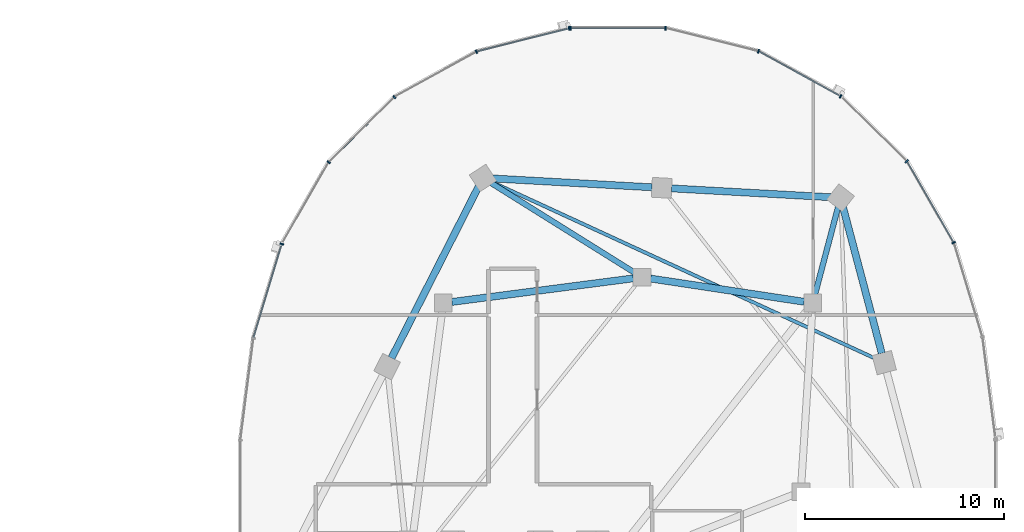
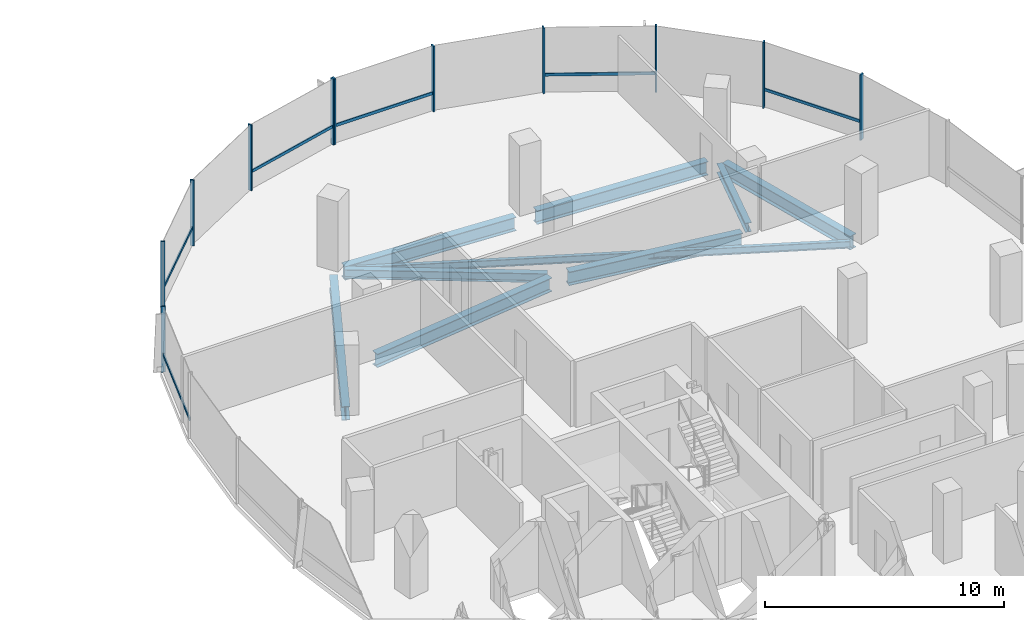
# One storey, part 9 of 22: 17 members, 9 beams, 2 elements without a shape of their own.
"""IFC4 building model written with IfcOpenShell, lengths in metres."""

from ifc_helpers import new_model, si_unit, direction, frame, origin, origin_2d, place, context, subcontext, project, spatial, rectangle, i_section, extrude, material, material_profile, profile_set, type_object, element, aggregate, save


model = new_model("IFC4")

# Units and contexts
model_context = context("Model", 3, precision=1e-05, world=origin(), true_north=direction((0.0, 1.0)))
body_context = subcontext(model_context, "Body", "Model", "MODEL_VIEW")
ifc_project = project(units=[si_unit("LENGTHUNIT", "METRE"), si_unit("AREAUNIT", "SQUARE_METRE"), si_unit("VOLUMEUNIT", "CUBIC_METRE"), si_unit("PLANEANGLEUNIT", "RADIAN"), si_unit("MASSUNIT", "GRAM", prefix="KILO"), si_unit("THERMODYNAMICTEMPERATUREUNIT", "KELVIN"), si_unit("POWERUNIT", "WATT")], contexts=[model_context])

# Site, building, storey
site_placement = place(None, origin())
site = spatial("IfcSite", under=ifc_project, at=site_placement, CompositionType="ELEMENT")
building_placement = place(site_placement, origin())
building = spatial("IfcBuilding", under=site, at=building_placement, Name="Cundina Bronze Exchange", CompositionType="ELEMENT")
storey_placement = place(building_placement, frame((0.0, 0.0, 158.39990234375)))
storey = spatial("IfcBuildingStorey", under=building, at=storey_placement, Name="L41", CompositionType="ELEMENT", Elevation=158.39990234375)

# Beams
ifc_material_1 = material(Name="Steel ASTM A992 Grade 50", Category="steel")
ifc_material_profile_1 = material_profile(ifc_material_1, i_section(OverallWidth=0.280029296875, OverallDepth=0.462890625, WebThickness=0.0107421875, FlangeThickness=0.017333984375, FilletRadius=0.011962890625, at=origin_2d()), Name="W18X76", Category="steel")
ifc_profile_set_1 = profile_set([ifc_material_profile_1], Name="Steel ASTM A992 Grade 50")
beam_type_1 = type_object("IfcBeamType", Name="BM-FLR-W18A", PredefinedType="BEAM", material=ifc_profile_set_1)
beam_1_placement = place(storey_placement, frame((41.911865234375, 9.923583984375, -0.471435546875), z_axis=(0.255413807463, 0.966831829719, 0.0), x_axis=(-0.966831829719, 0.255413807463, 0.0)))
element("IfcBeam", 1, at=beam_1_placement, inside=storey, type_object=beam_type_1, Name="L41 Leg E Chordal Floor Beam 10", PredefinedType="BEAM", context=body_context, shape_type="SweptSolid", body=[
    extrude(i_section(OverallWidth=0.280029296875, OverallDepth=0.462890625, WebThickness=0.0107421875, FlangeThickness=0.017333984375, FilletRadius=0.011962890625, at=origin_2d()), origin(), (0.0, 0.0, 1.0), 4.5556640625),
])
beam_2_placement = place(storey_placement, frame((32.82861328125, 11.031982421875, -0.471435546875), z_axis=(-0.847985407265, 0.530019574228, 0.0), x_axis=(-0.530019574228, -0.847985407265, 0.0)))
element("IfcBeam", 2, at=beam_2_placement, inside=storey, type_object=beam_type_1, Name="L41 Leg E Chordal Floor Beam 12", PredefinedType="BEAM", context=body_context, shape_type="SweptSolid", body=[
    extrude(i_section(OverallWidth=0.280029296875, OverallDepth=0.462890625, WebThickness=0.0107421875, FlangeThickness=0.017333984375, FilletRadius=0.011962890625, at=origin_2d()), origin(), (0.0, 0.0, 1.0), 8.50830078125),
])
ifc_material_profile_2 = material_profile(ifc_material_1, i_section(OverallWidth=0.172119140625, OverallDepth=0.35791015625, WebThickness=0.0078125, FlangeThickness=0.01318359375, FilletRadius=0.010009765625, at=origin_2d()), Name="W14X38", Category="steel")
ifc_profile_set_2 = profile_set([ifc_material_profile_2], Name="Steel ASTM A992 Grade 50")
beam_type_2 = type_object("IfcBeamType", Name="BM-JST-W14", PredefinedType="JOIST", material=ifc_profile_set_2)
beam_3_placement = place(storey_placement, frame((44.956787109375, 6.7041015625, -0.4189453125), z_axis=(-0.908353865734, 0.418202408655, 0.0), x_axis=(-0.418202408655, -0.908353865734, 0.0)))
element("IfcBeam", 3, at=beam_3_placement, inside=storey, type_object=beam_type_2, Name="L41 Leg E Lobe Floor Joist 09-12", PredefinedType="JOIST", context=body_context, shape_type="SweptSolid", body=[
    extrude(i_section(OverallWidth=0.172119140625, OverallDepth=0.35791015625, WebThickness=0.0078125, FlangeThickness=0.01318359375, FilletRadius=0.010009765625, at=origin_2d()), origin(), (0.0, 0.0, 1.0), 21.261962890625),
])
ifc_material_profile_3 = material_profile(ifc_material_1, i_section(OverallWidth=0.35498046875, OverallDepth=0.695068359375, WebThickness=0.015380859375, FlangeThickness=0.02490234375, FilletRadius=0.01806640625, at=origin_2d()), Name="W27X146", Category="steel")
ifc_profile_set_3 = profile_set([ifc_material_profile_3], Name="Steel ASTM A992 Grade 50")
beam_type_3 = type_object("IfcBeamType", Name="BM-RING-W27", PredefinedType="USERDEFINED", material=ifc_profile_set_3)
beam_4_placement = place(storey_placement, frame((41.366943359375, 9.5654296875, -0.58740234375), z_axis=(-0.988764903598, 0.149478979839, 0.0), x_axis=(-0.149478979839, -0.988764903598, 0.0)))
element("IfcBeam", 4, at=beam_4_placement, inside=storey, type_object=beam_type_3, Name="L41 E Inner Structural Ring Girder 05", ObjectType="GIRDER", PredefinedType="USERDEFINED", context=body_context, shape_type="SweptSolid", body=[
    extrude(i_section(OverallWidth=0.35498046875, OverallDepth=0.695068359375, WebThickness=0.015380859375, FlangeThickness=0.02490234375, FilletRadius=0.01806640625, at=origin_2d()), origin(), (0.0, 0.0, 1.0), 7.82177734375),
])
beam_5_placement = place(storey_placement, frame((32.765625, 10.743408203125, -0.58740234375), z_axis=(-0.991656498582, -0.128908451316, 0.0), x_axis=(0.128908451316, -0.991656498582, 0.0)))
element("IfcBeam", 5, at=beam_5_placement, inside=storey, type_object=beam_type_3, Name="L41 E Inner Structural Ring Girder 06", ObjectType="GIRDER", PredefinedType="USERDEFINED", context=body_context, shape_type="SweptSolid", body=[
    extrude(i_section(OverallWidth=0.35498046875, OverallDepth=0.695068359375, WebThickness=0.015380859375, FlangeThickness=0.02490234375, FilletRadius=0.01806640625, at=origin_2d()), origin(), (0.0, 0.0, 1.0), 9.208251953125),
])
beam_6_placement = place(storey_placement, frame((45.27490234375, 6.9716796875, -0.58740234375), z_axis=(-0.256210841755, 0.96662092082, 0.0), x_axis=(-0.96662092082, -0.256210841755, 0.0)))
element("IfcBeam", 6, at=beam_6_placement, inside=storey, type_object=beam_type_3, Name="L41 E Perimeter Ring Girder 09", ObjectType="GIRDER", PredefinedType="USERDEFINED", context=body_context, shape_type="SweptSolid", body=[
    extrude(i_section(OverallWidth=0.35498046875, OverallDepth=0.695068359375, WebThickness=0.015380859375, FlangeThickness=0.02490234375, FilletRadius=0.01806640625, at=origin_2d()), origin(), (0.0, 0.0, 1.0), 7.61083984375),
])
for number, where, z_axis, x_axis, name in (
    (7, (42.712890625, 14.8271484375, -0.58740234375), (-0.998460820451, 0.055461608559, 0.0), (-0.055461608559, -0.998460820451, 0.0), "L41 E Perimeter Ring Girder 10"),
    (8, (33.712890625, 15.3271484375, -0.58740234375), (-0.998460820451, 0.055461608559, 0.0), (-0.055461608559, -0.998460820451, 0.0), "L41 E Perimeter Ring Girder 11"),
):
    element("IfcBeam", number, at=place(storey_placement, frame(where, z_axis=z_axis, x_axis=x_axis)), inside=storey, type_object=beam_type_3, Name=name, ObjectType="GIRDER", PredefinedType="USERDEFINED", context=body_context, shape_type="SweptSolid", body=[
        extrude(i_section(OverallWidth=0.35498046875, OverallDepth=0.695068359375, WebThickness=0.015380859375, FlangeThickness=0.02490234375, FilletRadius=0.01806640625, at=origin_2d()), origin(), (0.0, 0.0, 1.0), 8.0380859375),
    ])
beam_7_placement = place(storey_placement, frame((24.97900390625, 15.364990234375, -0.58740234375), z_axis=(-0.452834585354, -0.891594548159, 0.0), x_axis=(0.891594548159, -0.452834585354, 0.0)))
element("IfcBeam", 9, at=beam_7_placement, inside=storey, type_object=beam_type_3, Name="L41 E Perimeter Ring Girder 12", ObjectType="GIRDER", PredefinedType="USERDEFINED", context=body_context, shape_type="SweptSolid", body=[
    extrude(i_section(OverallWidth=0.35498046875, OverallDepth=0.695068359375, WebThickness=0.015380859375, FlangeThickness=0.02490234375, FilletRadius=0.01806640625, at=origin_2d()), origin(), (0.0, 0.0, 1.0), 9.67919921875),
])

# Curtain wall, members
ifc_material_2 = material(Name="Anodised Bronze Aluminium 6063-T6", Category="aluminium")
curtain_wall_type = type_object("IfcCurtainWallType", Name="CWS-WST-PIN", PredefinedType="NOTDEFINED", material=ifc_material_2)
curtain_wall_1_placement = place(storey_placement, origin())
curtain_wall_1 = element("IfcCurtainWall", 10, at=curtain_wall_1_placement, inside=storey, type_object=curtain_wall_type, Name="L41 CW-04 Curtain Wall Run CWR-L41-E1", PredefinedType="NOTDEFINED")
ifc_material_profile_4 = material_profile(ifc_material_2, rectangle(XDim=0.070068359375, YDim=0.18994140625, at=origin_2d()), Name="AL70X190", Category="aluminium")
ifc_profile_set_4 = profile_set([ifc_material_profile_4], Name="Anodised Bronze Aluminium 6063-T6")
member_type_1 = type_object("IfcMemberType", Name="CWM-MUL-190", PredefinedType="MULLION", material=ifc_profile_set_4)
member_1_placement = place(storey_placement, frame((48.89794921875, 12.541259765625, 0.0), z_axis=(0.0, 0.0, 1.0), x_axis=(-0.498487739754, 0.866896748936, 0.0)))
member_1 = element("IfcMember", 11, at=member_1_placement, type_object=member_type_1, Name="CW-04 Mullion 3", PredefinedType="MULLION", context=body_context, shape_type="SweptSolid", body=[
    extrude(rectangle(XDim=0.070068359375, YDim=0.18994140625, at=origin_2d()), origin(), (0.0, 0.0, 1.0), 3.360107421875),
])
member_2_placement = place(storey_placement, frame((46.530517578125, 16.640380859375, 0.0), z_axis=(0.0, 0.0, 1.0), x_axis=(-0.712026045991, 0.702153052995, 0.0)))
member_2 = element("IfcMember", 12, at=member_2_placement, type_object=member_type_1, Name="CW-04 Mullion 4", PredefinedType="MULLION", context=body_context, shape_type="SweptSolid", body=[
    extrude(rectangle(XDim=0.070068359375, YDim=0.18994140625, at=origin_2d()), origin(), (0.0, 0.0, 1.0), 3.360107421875),
])
member_3_placement = place(storey_placement, frame((43.20654296875, 19.906005859375, 0.0), z_axis=(0.0, 0.0, 1.0), x_axis=(-0.875885937035, 0.482518212408, 0.0)))
member_3 = element("IfcMember", 13, at=member_3_placement, type_object=member_type_1, Name="CW-04 Mullion 5", PredefinedType="MULLION", context=body_context, shape_type="SweptSolid", body=[
    extrude(rectangle(XDim=0.070068359375, YDim=0.18994140625, at=origin_2d()), origin(), (0.0, 0.0, 1.0), 3.360107421875),
])
member_4_placement = place(storey_placement, frame((39.067626953125, 22.17626953125, 0.0), z_axis=(0.0, 0.0, 1.0), x_axis=(-0.970084240161, 0.242768546132, 0.0)))
member_4 = element("IfcMember", 14, at=member_4_placement, type_object=member_type_1, Name="CW-04 Mullion 6", PredefinedType="MULLION", context=body_context, shape_type="SweptSolid", body=[
    extrude(rectangle(XDim=0.070068359375, YDim=0.18994140625, at=origin_2d()), origin(), (0.0, 0.0, 1.0), 3.360107421875),
])
member_5_placement = place(storey_placement, frame((34.39404296875, 23.3369140625, 0.0), z_axis=(0.0, 0.0, 1.0), x_axis=(-1.0, 0.0, 0.0)))
member_5 = element("IfcMember", 15, at=member_5_placement, type_object=member_type_1, Name="CW-04 Mullion 7", PredefinedType="MULLION", context=body_context, shape_type="SweptSolid", body=[
    extrude(rectangle(XDim=0.070068359375, YDim=0.18994140625, at=origin_2d()), origin(), (0.0, 0.0, 1.0), 3.360107421875),
])
member_6_placement = place(storey_placement, frame((29.60595703125, 23.3369140625, 0.0), z_axis=(0.0, 0.0, 1.0), x_axis=(-1.0, 0.0, 0.0)))
member_6 = element("IfcMember", 16, at=member_6_placement, type_object=member_type_1, Name="CW-04 End Mullion", PredefinedType="MULLION", context=body_context, shape_type="SweptSolid", body=[
    extrude(rectangle(XDim=0.070068359375, YDim=0.18994140625, at=origin_2d()), origin(), (0.0, 0.0, 1.0), 3.360107421875),
])

curtain_wall_2_placement = place(storey_placement, origin())
curtain_wall_2 = element("IfcCurtainWall", 17, at=curtain_wall_2_placement, inside=storey, type_object=curtain_wall_type, Name="L41 CW-04 Curtain Wall Run CWR-L41-E2", PredefinedType="NOTDEFINED")
member_7_placement = place(storey_placement, frame((29.537353515625, 23.32861328125, 0.0), z_axis=(0.0, 0.0, 1.0), x_axis=(-0.970084240161, -0.242768546132, 0.0)))
member_7 = element("IfcMember", 18, at=member_7_placement, type_object=member_type_1, Name="CW-04 Mullion 1", PredefinedType="MULLION", context=body_context, shape_type="SweptSolid", body=[
    extrude(rectangle(XDim=0.070068359375, YDim=0.18994140625, at=origin_2d()), origin(), (0.0, 0.0, 1.0), 3.360107421875),
])
member_8_placement = place(storey_placement, frame((24.86962890625, 22.151611328125, 0.0), z_axis=(0.0, 0.0, 1.0), x_axis=(-0.875885937035, -0.482518212408, 0.0)))
member_8 = element("IfcMember", 19, at=member_8_placement, type_object=member_type_1, Name="CW-04 Mullion 2", PredefinedType="MULLION", context=body_context, shape_type="SweptSolid", body=[
    extrude(rectangle(XDim=0.070068359375, YDim=0.18994140625, at=origin_2d()), origin(), (0.0, 0.0, 1.0), 3.360107421875),
])
member_9_placement = place(storey_placement, frame((20.740966796875, 19.86669921875, 0.0), z_axis=(0.0, 0.0, 1.0), x_axis=(-0.712026045991, -0.702153052995, 0.0)))
member_9 = element("IfcMember", 20, at=member_9_placement, type_object=member_type_1, Name="CW-04 Mullion 3", PredefinedType="MULLION", context=body_context, shape_type="SweptSolid", body=[
    extrude(rectangle(XDim=0.070068359375, YDim=0.18994140625, at=origin_2d()), origin(), (0.0, 0.0, 1.0), 3.360107421875),
])
member_10_placement = place(storey_placement, frame((17.42919921875, 16.588134765625, 0.0), z_axis=(0.0, 0.0, 1.0), x_axis=(-0.498487739754, -0.866896748936, 0.0)))
member_10 = element("IfcMember", 21, at=member_10_placement, type_object=member_type_1, Name="CW-04 Mullion 4", PredefinedType="MULLION", context=body_context, shape_type="SweptSolid", body=[
    extrude(rectangle(XDim=0.070068359375, YDim=0.18994140625, at=origin_2d()), origin(), (0.0, 0.0, 1.0), 3.360107421875),
])
member_11_placement = place(storey_placement, frame((15.07373046875, 12.4755859375, 0.0), z_axis=(0.0, 0.0, 1.0), x_axis=(-0.290034140915, -0.957016299288, 0.0)))
member_11 = element("IfcMember", 22, at=member_11_placement, type_object=member_type_1, Name="CW-04 Mullion 5", PredefinedType="MULLION", context=body_context, shape_type="SweptSolid", body=[
    extrude(rectangle(XDim=0.070068359375, YDim=0.18994140625, at=origin_2d()), origin(), (0.0, 0.0, 1.0), 3.360107421875),
])

# Member
ifc_material_profile_5 = material_profile(ifc_material_2, rectangle(XDim=0.06494140625, YDim=0.14990234375, at=origin_2d()), Name="AL65X150", Category="aluminium")
ifc_profile_set_5 = profile_set([ifc_material_profile_5], Name="Anodised Bronze Aluminium 6063-T6")
member_type_2 = type_object("IfcMemberType", Name="CWM-TRN-150", PredefinedType="USERDEFINED", material=ifc_profile_set_5)
member_12_placement = place(storey_placement, frame((48.878662109375, 12.574462890625, 0.920166015625), z_axis=(-0.498479967047, 0.866901218394, 0.0), x_axis=(-0.866901218394, -0.498479967047, 0.0)))
member_12 = element("IfcMember", 23, at=member_12_placement, type_object=member_type_2, Name="CW-04 Spandrel Transom 3", ObjectType="TRANSOM", PredefinedType="USERDEFINED", context=body_context, shape_type="SweptSolid", body=[
    extrude(rectangle(XDim=0.06494140625, YDim=0.14990234375, at=origin_2d()), origin(), (0.0, 0.0, 1.0), 4.66845703125),
])

member_13_placement = place(storey_placement, frame((43.1728515625, 19.924560546875, 0.920166015625), z_axis=(-0.875878981549, 0.482530838062, 0.0), x_axis=(-0.482530838062, -0.875878981549, 0.0)))
member_13 = element("IfcMember", 24, at=member_13_placement, type_object=member_type_2, Name="CW-04 Spandrel Transom 5", ObjectType="TRANSOM", PredefinedType="USERDEFINED", context=body_context, shape_type="SweptSolid", body=[
    extrude(rectangle(XDim=0.06494140625, YDim=0.14990234375, at=origin_2d()), origin(), (0.0, 0.0, 1.0), 4.65380859375),
])

member_14_placement = place(storey_placement, frame((34.35546875, 23.3369140625, 0.920166015625), z_axis=(-1.0, 0.0, 0.0), x_axis=(0.0, -1.0, 0.0)))
member_14 = element("IfcMember", 25, at=member_14_placement, type_object=member_type_2, Name="CW-04 Spandrel Transom 7", ObjectType="TRANSOM", PredefinedType="USERDEFINED", context=body_context, shape_type="SweptSolid", body=[
    extrude(rectangle(XDim=0.06494140625, YDim=0.14990234375, at=origin_2d()), origin(), (0.0, 0.0, 1.0), 4.7109375),
])

aggregate(curtain_wall_1, [member_1, member_12, member_2, member_3, member_13, member_4, member_5, member_6, member_14])

member_15_placement = place(storey_placement, frame((29.5, 23.319091796875, 0.920166015625), z_axis=(-0.970100130035, -0.242705042606, 0.0), x_axis=(0.242705042606, -0.970100130035, 0.0)))
member_15 = element("IfcMember", 26, at=member_15_placement, type_object=member_type_2, Name="CW-04 Spandrel Transom 1", ObjectType="TRANSOM", PredefinedType="USERDEFINED", context=body_context, shape_type="SweptSolid", body=[
    extrude(rectangle(XDim=0.06494140625, YDim=0.14990234375, at=origin_2d()), origin(), (0.0, 0.0, 1.0), 4.746826171875),
])

member_16_placement = place(storey_placement, frame((20.71337890625, 19.839599609375, 0.920166015625), z_axis=(-0.712005023839, -0.702174370102, 0.0), x_axis=(0.702174370102, -0.712005023839, 0.0)))
member_16 = element("IfcMember", 27, at=member_16_placement, type_object=member_type_2, Name="CW-04 Spandrel Transom 3", ObjectType="TRANSOM", PredefinedType="USERDEFINED", context=body_context, shape_type="SweptSolid", body=[
    extrude(rectangle(XDim=0.06494140625, YDim=0.14990234375, at=origin_2d()), origin(), (0.0, 0.0, 1.0), 4.594482421875),
])

member_17_placement = place(storey_placement, frame((15.062744140625, 12.43896484375, 0.920166015625), z_axis=(-0.290051855969, -0.957010930371, 0.0), x_axis=(0.957010930371, -0.290051855969, 0.0)))
member_17 = element("IfcMember", 28, at=member_17_placement, type_object=member_type_2, Name="CW-04 Spandrel Transom 5", ObjectType="TRANSOM", PredefinedType="USERDEFINED", context=body_context, shape_type="SweptSolid", body=[
    extrude(rectangle(XDim=0.06494140625, YDim=0.14990234375, at=origin_2d()), origin(), (0.0, 0.0, 1.0), 4.876953125),
])

aggregate(curtain_wall_2, [member_7, member_15, member_8, member_9, member_16, member_10, member_11, member_17])

save(model, "model.ifc")
